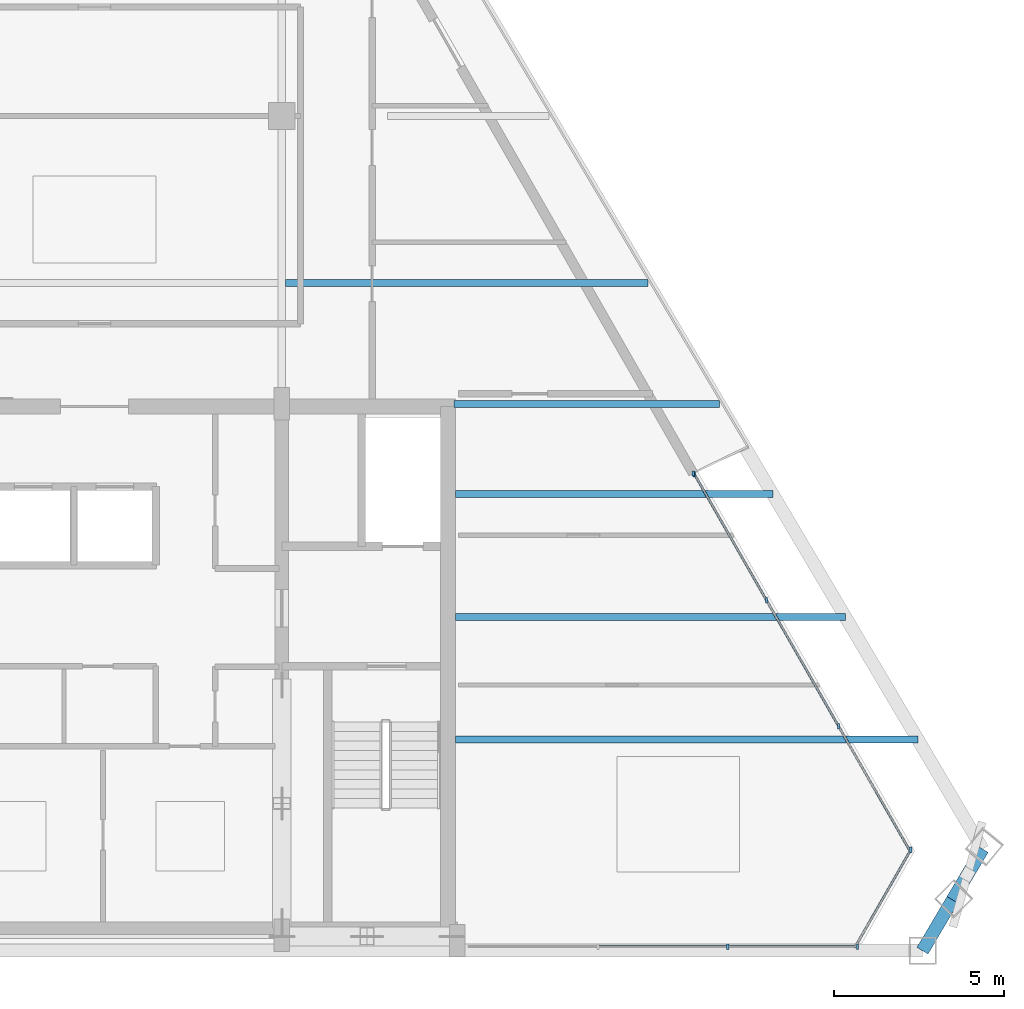
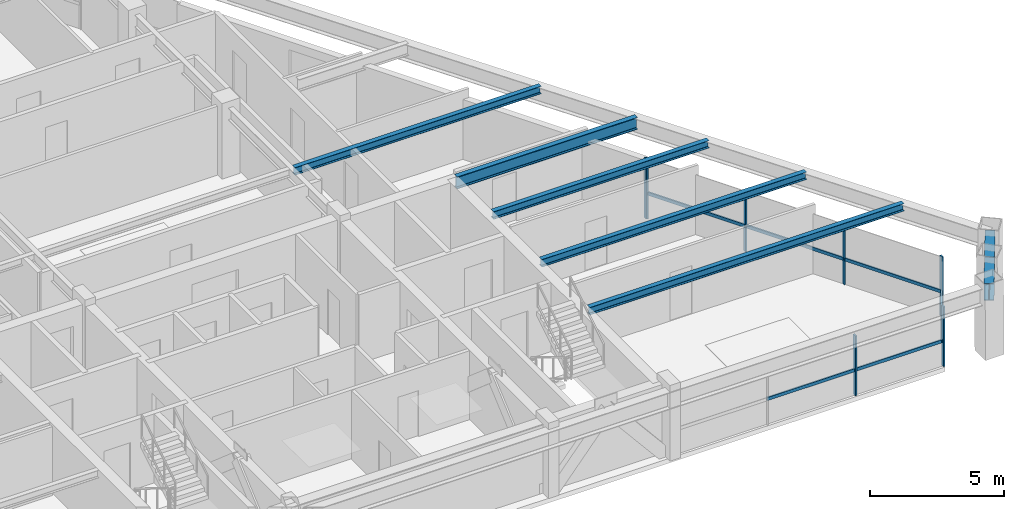
# One storey, part 5 of 13: 13 members, 7 beams, 3 elements without a shape of their own.
"""IFC4 building model written with IfcOpenShell, lengths in metres."""

from ifc_helpers import new_model, si_unit, direction, frame, origin, origin_2d, place, context, subcontext, project, spatial, rectangle, i_section, extrude, source, transform, mapped, material, material_profile, profile_set, type_object, element, aggregate, save


model = new_model("IFC4")

# Units and contexts
model_context = context("Model", 3, precision=1e-05, world=origin(), true_north=direction((0.0, 1.0)))
body_context = subcontext(model_context, "Body", "Model", "MODEL_VIEW")
ifc_project = project(units=[si_unit("LENGTHUNIT", "METRE"), si_unit("AREAUNIT", "SQUARE_METRE"), si_unit("VOLUMEUNIT", "CUBIC_METRE"), si_unit("PLANEANGLEUNIT", "RADIAN"), si_unit("MASSUNIT", "GRAM", prefix="KILO")], contexts=[model_context])

# Site, building, storey
site_placement = place(None, origin())
site = spatial("IfcSite", under=ifc_project, at=site_placement, CompositionType="ELEMENT")
building_placement = place(site_placement, origin())
building = spatial("IfcBuilding", under=site, at=building_placement, Name="Varnakhor Terracotta Tower", CompositionType="ELEMENT")
storey_placement = place(building_placement, frame((0.0, 0.0, 300.60009765625)))
storey = spatial("IfcBuildingStorey", under=building, at=storey_placement, Name="L79", CompositionType="ELEMENT", Elevation=300.60009765625)

# Beams
ifc_material_1 = material(Name="Steel S355", Category="steel")
ifc_material_profile_1 = material_profile(ifc_material_1, i_section(OverallWidth=0.381103515625, OverallDepth=0.77294921875, WebThickness=0.01708984375, FlangeThickness=0.027099609375, FilletRadius=0.01806640625, at=origin_2d()), Name="W30X173")
ifc_profile_set_1 = profile_set([ifc_material_profile_1], Name="Steel S355")
beam_type_1 = type_object("IfcBeamType", Name="BM-W30X173", PredefinedType="BEAM", material=ifc_profile_set_1)
shared_shape_1 = source(origin(), body_context, "Body", "SweptSolid", [
    extrude(i_section(OverallWidth=0.381103515625, OverallDepth=0.77294921875, WebThickness=0.01708984375, FlangeThickness=0.027099609375, FilletRadius=0.01806640625, at=origin_2d()), origin(), (0.0, 0.0, 1.0), 1.734619140625),
])
beam_1_placement = place(storey_placement, frame((24.302734375, 0.0, 2.763427734375), z_axis=(0.509103887013, 0.860705078542, 0.0), x_axis=(-0.860705078542, 0.509103887013, 0.0)))
element("IfcBeam", 1, at=beam_1_placement, inside=storey, type_object=beam_type_1, Name="L79 Perimeter Spandrel 2", PredefinedType="BEAM", context=body_context, shape_type="MappedRepresentation", body=[
    mapped(shared_shape_1, transform((0.0, 0.0, 0.0), scale=1.0)),
])
shared_shape_2 = source(origin(), body_context, "Body", "SweptSolid", [
    extrude(i_section(OverallWidth=0.381103515625, OverallDepth=0.77294921875, WebThickness=0.01708984375, FlangeThickness=0.027099609375, FilletRadius=0.01806640625, at=origin_2d()), origin(), (0.0, 0.0, 1.0), 1.734130859375),
])
beam_2_placement = place(storey_placement, frame((25.185791015625, 1.492919921875, 2.763427734375), z_axis=(0.509061282785, 0.860730277363, 0.0), x_axis=(-0.860730277363, 0.509061282785, 0.0)))
element("IfcBeam", 2, at=beam_2_placement, inside=storey, type_object=beam_type_1, Name="L79 Perimeter Spandrel 3", PredefinedType="BEAM", context=body_context, shape_type="MappedRepresentation", body=[
    mapped(shared_shape_2, transform((0.0, 0.0, 0.0), scale=1.0)),
])
ifc_material_profile_2 = material_profile(ifc_material_1, i_section(OverallWidth=0.214111328125, OverallDepth=0.549072265625, WebThickness=0.014892578125, FlangeThickness=0.02392578125, FilletRadius=0.01806640625, at=origin_2d()), Name="W21X93")
ifc_profile_set_2 = profile_set([ifc_material_profile_2], Name="Steel S355")
beam_type_2 = type_object("IfcBeamType", Name="BM-W21X93", PredefinedType="BEAM", material=ifc_profile_set_2)
shared_shape_3 = source(origin(), body_context, "Body", "SweptSolid", [
    extrude(i_section(OverallWidth=0.214111328125, OverallDepth=0.549072265625, WebThickness=0.014892578125, FlangeThickness=0.02392578125, FilletRadius=0.01806640625, at=origin_2d()), origin(), (0.0, 0.0, 1.0), 7.791259765625),
])
beam_3_placement = place(storey_placement, frame((10.550048828125, 16.050048828125, 2.87548828125), z_axis=(1.0, 0.0, 0.0), x_axis=(0.0, 1.0, 0.0)))
element("IfcBeam", 3, at=beam_3_placement, inside=storey, type_object=beam_type_2, Name="L79 Wing Girder E", PredefinedType="BEAM", context=body_context, shape_type="MappedRepresentation", body=[
    mapped(shared_shape_3, transform((0.0, 0.0, 0.0), scale=1.0)),
])
ifc_material_profile_3 = material_profile(ifc_material_1, i_section(OverallWidth=0.202880859375, OverallDepth=0.346923828125, WebThickness=0.0078125, FlangeThickness=0.013427734375, FilletRadius=0.01806640625, at=origin_2d()), Name="W14X43")
ifc_profile_set_3 = profile_set([ifc_material_profile_3], Name="Steel S355")
beam_type_3 = type_object("IfcBeamType", Name="JST-W14X43", PredefinedType="JOIST", material=ifc_profile_set_3)
shared_shape_4 = source(origin(), body_context, "Body", "SweptSolid", [
    extrude(i_section(OverallWidth=0.202880859375, OverallDepth=0.346923828125, WebThickness=0.0078125, FlangeThickness=0.013427734375, FilletRadius=0.01806640625, at=origin_2d()), origin(), (0.0, 0.0, 1.0), 13.5673828125),
])
beam_4_placement = place(storey_placement, frame((10.60009765625, 6.199951171875, 2.976318359375), z_axis=(1.0, 0.0, 0.0), x_axis=(0.0, 1.0, 0.0)))
element("IfcBeam", 4, at=beam_4_placement, inside=storey, type_object=beam_type_3, Name="L79 Floor Joist E1", PredefinedType="JOIST", context=body_context, shape_type="MappedRepresentation", body=[
    mapped(shared_shape_4, transform((0.0, 0.0, 0.0), scale=1.0)),
])
shared_shape_5 = source(origin(), body_context, "Body", "SweptSolid", [
    extrude(i_section(OverallWidth=0.202880859375, OverallDepth=0.346923828125, WebThickness=0.0078125, FlangeThickness=0.013427734375, FilletRadius=0.01806640625, at=origin_2d()), origin(), (0.0, 0.0, 1.0), 11.43798828125),
])
beam_5_placement = place(storey_placement, frame((10.60009765625, 9.800048828125, 2.976318359375), z_axis=(1.0, 0.0, 0.0), x_axis=(0.0, 1.0, 0.0)))
element("IfcBeam", 5, at=beam_5_placement, inside=storey, type_object=beam_type_3, Name="L79 Floor Joist E2", PredefinedType="JOIST", context=body_context, shape_type="MappedRepresentation", body=[
    mapped(shared_shape_5, transform((0.0, 0.0, 0.0), scale=1.0)),
])
shared_shape_6 = source(origin(), body_context, "Body", "SweptSolid", [
    extrude(i_section(OverallWidth=0.202880859375, OverallDepth=0.346923828125, WebThickness=0.0078125, FlangeThickness=0.013427734375, FilletRadius=0.01806640625, at=origin_2d()), origin(), (0.0, 0.0, 1.0), 9.30859375),
])
beam_6_placement = place(storey_placement, frame((10.60009765625, 13.39990234375, 2.976318359375), z_axis=(1.0, 0.0, 0.0), x_axis=(0.0, 1.0, 0.0)))
element("IfcBeam", 6, at=beam_6_placement, inside=storey, type_object=beam_type_3, Name="L79 Floor Joist E3", PredefinedType="JOIST", context=body_context, shape_type="MappedRepresentation", body=[
    mapped(shared_shape_6, transform((0.0, 0.0, 0.0), scale=1.0)),
])
shared_shape_7 = source(origin(), body_context, "Body", "SweptSolid", [
    extrude(i_section(OverallWidth=0.202880859375, OverallDepth=0.346923828125, WebThickness=0.0078125, FlangeThickness=0.013427734375, FilletRadius=0.01806640625, at=origin_2d()), origin(), (0.0, 0.0, 1.0), 10.638427734375),
])
beam_7_placement = place(storey_placement, frame((5.60302734375, 19.60009765625, 2.976318359375), z_axis=(1.0, 0.0, 0.0), x_axis=(0.0, 1.0, 0.0)))
element("IfcBeam", 7, at=beam_7_placement, inside=storey, type_object=beam_type_3, Name="L79 Composite Floor Joist 4-3", PredefinedType="JOIST", context=body_context, shape_type="MappedRepresentation", body=[
    mapped(shared_shape_7, transform((0.0, 0.0, 0.0), scale=1.0)),
])

# Curtain wall, members
ifc_material_2 = material(Name="Anodised Aluminium Curtain Wall System", Category="aluminium")
curtain_wall_type = type_object("IfcCurtainWallType", Name="CW-SYS-HOTEL-LOGGIA", PredefinedType="NOTDEFINED", material=ifc_material_2)
curtain_wall_1_placement = place(storey_placement, origin())
curtain_wall_1 = element("IfcCurtainWall", 8, at=curtain_wall_1_placement, inside=storey, type_object=curtain_wall_type, Name="L79 E Facet Curtain Wall 2", PredefinedType="NOTDEFINED")
ifc_material_3 = material(Name="Anodised Aluminium 6063-T6", Category="aluminium")
ifc_material_profile_4 = material_profile(ifc_material_3, rectangle(XDim=0.06494140625, YDim=0.159912109375, at=origin_2d()), Name="ALU MULLION 65x160")
ifc_profile_set_4 = profile_set([ifc_material_profile_4], Name="Anodised Aluminium 6063-T6")
member_type_1 = type_object("IfcMemberType", Name="CWM-04", PredefinedType="MULLION", material=ifc_profile_set_4)
shared_shape_8 = source(origin(), body_context, "Body", "SweptSolid", [
    extrude(rectangle(XDim=0.06494140625, YDim=0.159912109375, at=origin_2d()), origin(), (0.0, 0.0, 1.0), 2.72998046875),
])
member_1_placement = place(storey_placement, frame((17.606201171875, 13.990478515625, 0.0), z_axis=(0.0, 0.0, 1.0), x_axis=(1.0, 0.0, 0.0)))
member_1 = element("IfcMember", 9, at=member_1_placement, type_object=member_type_1, Name="L79 E Facet Curtain Wall 2 Mullion 1", PredefinedType="MULLION", context=body_context, shape_type="MappedRepresentation", body=[
    mapped(shared_shape_8, transform((0.0, 0.0, 0.0), scale=1.0)),
])
member_2_placement = place(storey_placement, frame((19.72314453125, 10.290771484375, 0.0), z_axis=(0.0, 0.0, 1.0), x_axis=(1.0, 0.0, 0.0)))
member_2 = element("IfcMember", 10, at=member_2_placement, type_object=member_type_1, Name="L79 E Facet Curtain Wall 2 Mullion 2", PredefinedType="MULLION", context=body_context, shape_type="MappedRepresentation", body=[
    mapped(shared_shape_8, transform((0.0, 0.0, 0.0), scale=1.0)),
])
member_3_placement = place(storey_placement, frame((21.840087890625, 6.591064453125, 0.0), z_axis=(0.0, 0.0, 1.0), x_axis=(1.0, 0.0, 0.0)))
member_3 = element("IfcMember", 11, at=member_3_placement, type_object=member_type_1, Name="L79 E Facet Curtain Wall 2 Mullion 3", PredefinedType="MULLION", context=body_context, shape_type="MappedRepresentation", body=[
    mapped(shared_shape_8, transform((0.0, 0.0, 0.0), scale=1.0)),
])
member_4_placement = place(storey_placement, frame((17.573974609375, 14.006591796875, 0.0), z_axis=(0.0, 0.0, 1.0), x_axis=(1.0, 0.0, 0.0)))
member_4 = element("IfcMember", 12, at=member_4_placement, type_object=member_type_1, Name="L79 E Loggia Jamb Closure Mullion 2", PredefinedType="MULLION", context=body_context, shape_type="MappedRepresentation", body=[
    mapped(shared_shape_8, transform((0.0, 0.0, 0.0), scale=1.0)),
])

# Curtain wall, member
curtain_wall_2_placement = place(storey_placement, origin())
curtain_wall_2 = element("IfcCurtainWall", 13, at=curtain_wall_2_placement, inside=storey, type_object=curtain_wall_type, Name="L79 Facet Curtain Wall 4", PredefinedType="NOTDEFINED")
member_5_placement = place(storey_placement, frame((23.957275390625, 2.95849609375, 0.0), z_axis=(0.0, 0.0, 1.0), x_axis=(1.0, 0.0, 0.0)))
member_5 = element("IfcMember", 14, at=member_5_placement, type_object=member_type_1, Name="L79 Facet Curtain Wall 4 Mullion 1", PredefinedType="MULLION", context=body_context, shape_type="MappedRepresentation", body=[
    mapped(shared_shape_8, transform((0.0, 0.0, 0.0), scale=1.0)),
])

# Curtain wall, members
curtain_wall_3_placement = place(storey_placement, origin())
curtain_wall_3 = element("IfcCurtainWall", 15, at=curtain_wall_3_placement, inside=storey, type_object=curtain_wall_type, Name="L79 South Wing Curtain Wall SSE", PredefinedType="NOTDEFINED")
member_6_placement = place(storey_placement, frame((22.392578125, 0.1201171875, 0.0), z_axis=(0.0, 0.0, 1.0), x_axis=(1.0, 0.0, 0.0)))
member_6 = element("IfcMember", 16, at=member_6_placement, type_object=member_type_1, Name="L79 South Wing Curtain Wall SSE Mullion 1", PredefinedType="MULLION", context=body_context, shape_type="MappedRepresentation", body=[
    mapped(shared_shape_8, transform((0.0, 0.0, 0.0), scale=1.0)),
])
member_7_placement = place(storey_placement, frame((18.5849609375, 0.1201171875, 0.0), z_axis=(0.0, 0.0, 1.0), x_axis=(1.0, 0.0, 0.0)))
member_7 = element("IfcMember", 17, at=member_7_placement, type_object=member_type_1, Name="L79 South Wing Curtain Wall SSE Mullion 2", PredefinedType="MULLION", context=body_context, shape_type="MappedRepresentation", body=[
    mapped(shared_shape_8, transform((0.0, 0.0, 0.0), scale=1.0)),
])

# Member
ifc_material_profile_5 = material_profile(ifc_material_3, rectangle(XDim=0.06494140625, YDim=0.14501953125, at=origin_2d()), Name="ALU TRANSOM 65x145")
ifc_profile_set_5 = profile_set([ifc_material_profile_5], Name="Anodised Aluminium 6063-T6")
member_type_2 = type_object("IfcMemberType", Name="CWT-04", PredefinedType="USERDEFINED", material=ifc_profile_set_5)
shared_shape_9 = source(origin(), body_context, "Body", "SweptSolid", [
    extrude(rectangle(XDim=0.06494140625, YDim=0.14501953125, at=origin_2d()), origin(), (0.0, 0.0, 1.0), 4.2626953125),
])
member_8_placement = place(storey_placement, frame((21.840087890625, 6.591064453125, 1.146484375), z_axis=(0.496681624335, -0.867932810791, 0.0), x_axis=(0.867932810791, 0.496681624335, 0.0)))
member_8 = element("IfcMember", 18, at=member_8_placement, type_object=member_type_2, Name="L79 E Facet Curtain Wall 2 Transom 3", ObjectType="TRANSOM", PredefinedType="USERDEFINED", context=body_context, shape_type="MappedRepresentation", body=[
    mapped(shared_shape_9, transform((0.0, 0.0, 0.0), scale=1.0)),
])

shared_shape_10 = source(origin(), body_context, "Body", "SweptSolid", [
    extrude(rectangle(XDim=0.06494140625, YDim=0.14501953125, at=origin_2d()), origin(), (0.0, 0.0, 1.0), 4.262451171875),
])
member_9_placement = place(storey_placement, frame((17.606201171875, 13.990478515625, 1.146484375), z_axis=(0.496638477438, -0.867957500531, 0.0), x_axis=(0.867957500531, 0.496638477438, 0.0)))
member_9 = element("IfcMember", 19, at=member_9_placement, type_object=member_type_2, Name="L79 E Facet Curtain Wall 2 Transom 1", ObjectType="TRANSOM", PredefinedType="USERDEFINED", context=body_context, shape_type="MappedRepresentation", body=[
    mapped(shared_shape_10, transform((0.0, 0.0, 0.0), scale=1.0)),
])

member_10_placement = place(storey_placement, frame((19.72314453125, 10.290771484375, 1.146484375), z_axis=(0.496638477438, -0.867957500531, 0.0), x_axis=(0.867957500531, 0.496638477438, 0.0)))
member_10 = element("IfcMember", 20, at=member_10_placement, type_object=member_type_2, Name="L79 E Facet Curtain Wall 2 Transom 2", ObjectType="TRANSOM", PredefinedType="USERDEFINED", context=body_context, shape_type="MappedRepresentation", body=[
    mapped(shared_shape_10, transform((0.0, 0.0, 0.0), scale=1.0)),
])

aggregate(curtain_wall_1, [member_1, member_9, member_2, member_10, member_3, member_8, member_4])

shared_shape_11 = source(origin(), body_context, "Body", "SweptSolid", [
    extrude(rectangle(XDim=0.06494140625, YDim=0.14501953125, at=origin_2d()), origin(), (0.0, 0.0, 1.0), 3.31005859375),
])
member_11_placement = place(storey_placement, frame((23.957275390625, 2.95849609375, 1.146484375), z_axis=(-0.496694867975, -0.867925231876, 0.0), x_axis=(0.867925231876, -0.496694867975, 0.0)))
member_11 = element("IfcMember", 21, at=member_11_placement, type_object=member_type_2, Name="L79 Facet Curtain Wall 4 Transom 1", ObjectType="TRANSOM", PredefinedType="USERDEFINED", context=body_context, shape_type="MappedRepresentation", body=[
    mapped(shared_shape_11, transform((0.0, 0.0, 0.0), scale=1.0)),
])

aggregate(curtain_wall_2, [member_5, member_11])

shared_shape_12 = source(origin(), body_context, "Body", "SweptSolid", [
    extrude(rectangle(XDim=0.06494140625, YDim=0.14501953125, at=origin_2d()), origin(), (0.0, 0.0, 1.0), 3.8076171875),
])
member_12_placement = place(storey_placement, frame((22.392578125, 0.1201171875, 1.146484375), z_axis=(-1.0, 0.0, 0.0), x_axis=(0.0, -1.0, 0.0)))
member_12 = element("IfcMember", 22, at=member_12_placement, type_object=member_type_2, Name="L79 South Wing Curtain Wall SSE Transom 1", ObjectType="TRANSOM", PredefinedType="USERDEFINED", context=body_context, shape_type="MappedRepresentation", body=[
    mapped(shared_shape_12, transform((0.0, 0.0, 0.0), scale=1.0)),
])

shared_shape_13 = source(origin(), body_context, "Body", "SweptSolid", [
    extrude(rectangle(XDim=0.06494140625, YDim=0.14501953125, at=origin_2d()), origin(), (0.0, 0.0, 1.0), 3.807373046875),
])
member_13_placement = place(storey_placement, frame((18.5849609375, 0.1201171875, 1.146484375), z_axis=(-1.0, 0.0, 0.0), x_axis=(0.0, -1.0, 0.0)))
member_13 = element("IfcMember", 23, at=member_13_placement, type_object=member_type_2, Name="L79 South Wing Curtain Wall SSE Transom 2", ObjectType="TRANSOM", PredefinedType="USERDEFINED", context=body_context, shape_type="MappedRepresentation", body=[
    mapped(shared_shape_13, transform((0.0, 0.0, 0.0), scale=1.0)),
])

aggregate(curtain_wall_3, [member_6, member_12, member_7, member_13])

save(model, "model.ifc")
